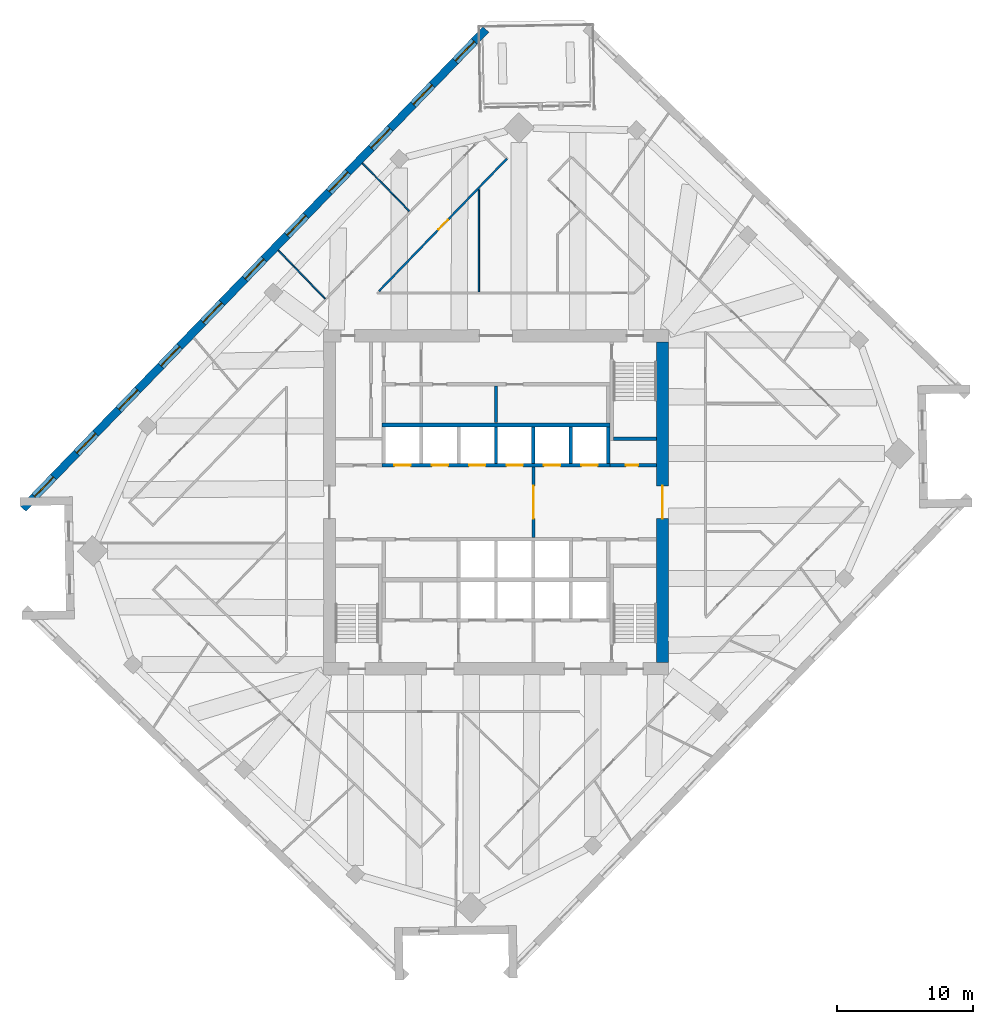
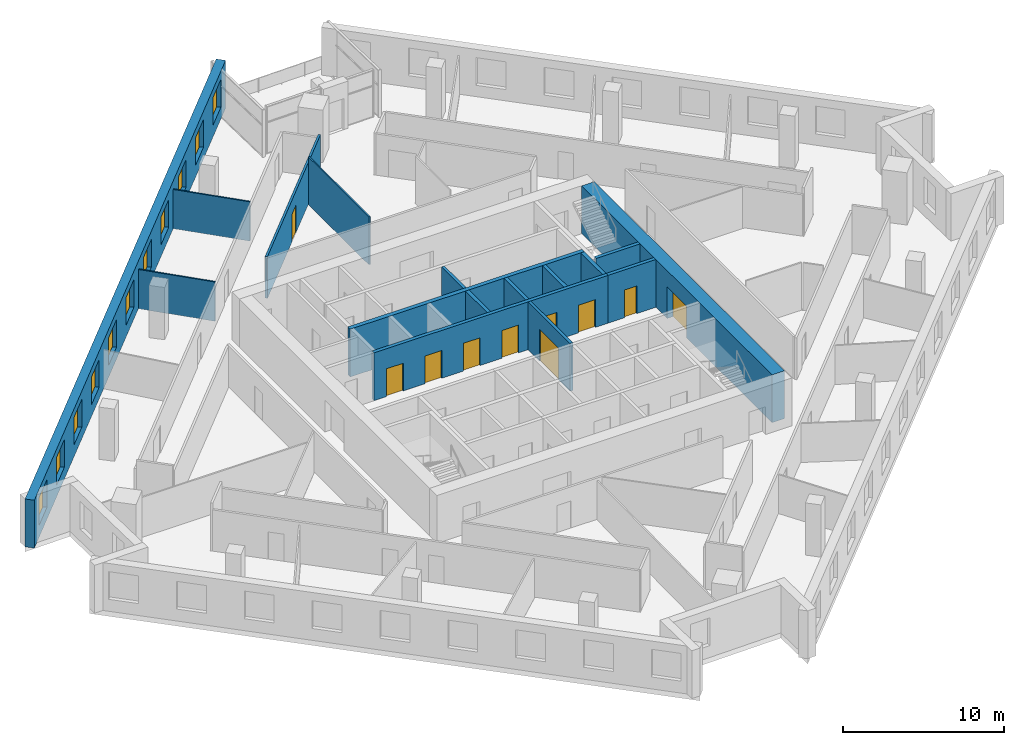
# One storey, part 9 of 13: 16 walls, 11 windows, 10 doors, 21 openings.
"""IFC4 building model written with IfcOpenShell, lengths in metres."""

from ifc_helpers import new_model, si_unit, direction, frame, frame_2d, origin, place, context, subcontext, project, spatial, rectangle, extrude, material, layer, layer_set, type_object, element, fill, save


model = new_model("IFC4")

# Units and contexts
model_context = context("Model", 3, precision=1e-05, world=origin(), true_north=direction((0.0, 1.0)))
body_context = subcontext(model_context, "Body", "Model", "MODEL_VIEW")
ifc_project = project(units=[si_unit("LENGTHUNIT", "METRE"), si_unit("AREAUNIT", "SQUARE_METRE"), si_unit("VOLUMEUNIT", "CUBIC_METRE"), si_unit("PLANEANGLEUNIT", "RADIAN"), si_unit("MASSUNIT", "GRAM", prefix="KILO")], contexts=[model_context])

# Site, building, storey
site_placement = place(None, origin())
site = spatial("IfcSite", under=ifc_project, at=site_placement, CompositionType="ELEMENT")
building_placement = place(site_placement, origin())
building = spatial("IfcBuilding", under=site, at=building_placement, Name="Dilmun Exchange Tower", CompositionType="ELEMENT")
storey_placement = place(building_placement, frame((0.0, 0.0, 209.300048828125)))
storey = spatial("IfcBuildingStorey", under=building, at=storey_placement, Name="L49", CompositionType="ELEMENT", Elevation=209.300048828125)

# Wall, opening, door
ifc_material_1 = material(Name="Concrete C40/50", Category="concrete")
ifc_layer_1 = layer(ifc_material_1, 0.199951171875)
ifc_layer_set_1 = layer_set([ifc_layer_1], Name="Concrete C40/50")
wall_type_1 = type_object("IfcWallType", Name="Core partition wall 200", PredefinedType="PARTITIONING", material=ifc_layer_set_1)
wall_1_placement = place(storey_placement, frame((2.75, -2.594970703125, 0.0), z_axis=(0.0, 0.0, 1.0), x_axis=(0.0, 1.0, 0.0)))
wall_1 = element("IfcWall", 1, at=wall_1_placement, inside=storey, type_object=wall_type_1, Name="L49 core partition wall 11", PredefinedType="PARTITIONING", context=body_context, shape_type="SweptSolid", body=[
    extrude(rectangle(XDim=5.18994140625, YDim=0.199951171875, at=frame_2d((2.594970703125, 0.0))), origin(), (0.0, 0.0, 1.0), 3.619873046875),
])
opening_1_placement = place(wall_1_placement, frame((1.39501953125, 0.0, 0.0)))
opening_1 = element("IfcOpeningElement", 2, at=opening_1_placement, cuts=wall_1, Name="Opening CD1", PredefinedType="OPENING", context=body_context, shape_type="SweptSolid", body=[
    extrude(rectangle(XDim=2.39990234375, YDim=2.39990234375, at=frame_2d((1.199951171875, 1.199951171875))), frame((0.0, 0.10986328125, 0.0), z_axis=(0.0, -1.0, 0.0), x_axis=(1.0, 0.0, 0.0)), (0.0, 0.0, 1.0), 0.219970703125),
])
ifc_material_2 = material(Name="Fire-rated steel door set", Category="steel")
door_type_1 = type_object("IfcDoorType", Name="Core lobby door 2400x2400", OperationType="DOUBLE_DOOR_DOUBLE_SWING", PredefinedType="DOOR", material=ifc_material_2)
door_1_placement = place(opening_1_placement, origin())
door_1 = element("IfcDoor", 3, at=door_1_placement, inside=storey, type_object=door_type_1, Name="L49 door Lift lobby east", OperationType="DOUBLE_DOOR_DOUBLE_SWING", OverallHeight=2.39990234375, OverallWidth=2.39990234375, PredefinedType="DOOR", context=body_context, shape_type="SweptSolid", body=[
    extrude(rectangle(XDim=2.39990234375, YDim=2.39990234375, at=frame_2d((1.199951171875, 1.199951171875))), frame((0.0, 0.02490234375, 0.0), z_axis=(0.0, -1.0, 0.0), x_axis=(1.0, 0.0, 0.0)), (0.0, 0.0, 1.0), 0.050048828125),
])
fill(opening_1, door_1)

# Wall
wall_2_placement = place(storey_placement, frame((0.0, 5.85498046875, 0.0), z_axis=(0.0, 0.0, 1.0), x_axis=(0.0, 1.0, 0.0)))
element("IfcWall", 4, at=wall_2_placement, inside=storey, type_object=wall_type_1, Name="L49 core partition wall 18", PredefinedType="PARTITIONING", context=body_context, shape_type="SweptSolid", body=[
    extrude(rectangle(XDim=2.68994140625, YDim=0.199951171875, at=frame_2d((1.344970703125, 0.0))), origin(), (0.0, 0.0, 1.0), 3.619873046875),
])

# Wall, opening, door
ifc_layer_2 = layer(ifc_material_1, 0.25)
ifc_layer_set_2 = layer_set([ifc_layer_2], Name="Concrete C40/50")
wall_type_2 = type_object("IfcWallType", Name="Core partition wall 250", PredefinedType="PARTITIONING", material=ifc_layer_set_2)
wall_3_placement = place(storey_placement, frame((8.3798828125, 2.72509765625, 0.0), z_axis=(0.0, 0.0, 1.0), x_axis=(1.0, 0.0, 0.0)))
wall_3 = element("IfcWall", 5, at=wall_3_placement, inside=storey, type_object=wall_type_2, Name="L49 core partition wall 13", PredefinedType="PARTITIONING", context=body_context, shape_type="SweptSolid", body=[
    extrude(rectangle(XDim=3.4150390625, YDim=0.25, at=frame_2d((1.70751953125, 0.0))), origin(), (0.0, 0.0, 1.0), 3.619873046875),
])
opening_2_placement = place(wall_3_placement, frame((1.169921875, 0.0, 0.0)))
opening_2 = element("IfcOpeningElement", 6, at=opening_2_placement, cuts=wall_3, Name="Opening CD6", PredefinedType="OPENING", context=body_context, shape_type="SweptSolid", body=[
    extrude(rectangle(XDim=0.89990234375, YDim=2.10009765625, at=frame_2d((0.449951171875, 1.050048828125))), frame((0.0, 0.135009765625, 0.0), z_axis=(0.0, -1.0, 0.0), x_axis=(1.0, 0.0, 0.0)), (0.0, 0.0, 1.0), 0.27001953125),
])
door_type_2 = type_object("IfcDoorType", Name="Core room door 900x2100", OperationType="SINGLE_SWING_LEFT", PredefinedType="DOOR", material=ifc_material_2)
door_2_placement = place(opening_2_placement, origin())
door_2 = element("IfcDoor", 7, at=door_2_placement, inside=storey, type_object=door_type_2, Name="L49 door Electrical riser", OperationType="SINGLE_SWING_RIGHT", OverallHeight=2.10009765625, OverallWidth=0.89990234375, PredefinedType="DOOR", context=body_context, shape_type="SweptSolid", body=[
    extrude(rectangle(XDim=0.89990234375, YDim=2.10009765625, at=frame_2d((0.449951171875, 1.050048828125))), frame((0.0, 0.02490234375, 0.0), z_axis=(0.0, -1.0, 0.0), x_axis=(1.0, 0.0, 0.0)), (0.0, 0.0, 1.0), 0.050048828125),
])
fill(opening_2, door_2)

ifc_material_3 = material(Name="Concrete C60/75", Category="concrete")
ifc_layer_3 = layer(ifc_material_3, 0.89990234375)
ifc_layer_set_3 = layer_set([ifc_layer_3], Name="Concrete C60/75")
wall_type_3 = type_object("IfcWallType", Name="Core shear wall 900 Concrete C60/75", PredefinedType="SHEAR", material=ifc_layer_set_3)
wall_4_placement = place(storey_placement, frame((12.25, -11.800048828125, 0.0), z_axis=(0.0, 0.0, 1.0), x_axis=(0.0, 1.0, 0.0)))
wall_4 = element("IfcWall", 8, at=wall_4_placement, inside=storey, type_object=wall_type_3, Name="L49 core shear wall E", PredefinedType="SHEAR", context=body_context, shape_type="SweptSolid", body=[
    extrude(rectangle(XDim=23.60009765625, YDim=0.89990234375, at=frame_2d((11.800048828125, 0.0))), origin(), (0.0, 0.0, 1.0), 3.619873046875),
])
opening_3_placement = place(wall_4_placement, frame((10.60009765625, 0.0, 0.0)))
opening_3 = element("IfcOpeningElement", 9, at=opening_3_placement, cuts=wall_4, Name="Opening CD1", PredefinedType="OPENING", context=body_context, shape_type="SweptSolid", body=[
    extrude(rectangle(XDim=2.39990234375, YDim=2.39990234375, at=frame_2d((1.199951171875, 1.199951171875))), frame((0.0, 0.4599609375, 0.0), z_axis=(0.0, -1.0, 0.0), x_axis=(1.0, 0.0, 0.0)), (0.0, 0.0, 1.0), 0.919921875),
])
door_3_placement = place(opening_3_placement, origin())
door_3 = element("IfcDoor", 10, at=door_3_placement, inside=storey, type_object=door_type_1, Name="L49 door Central lift lobby", OperationType="SINGLE_SWING_LEFT", OverallHeight=2.39990234375, OverallWidth=2.39990234375, PredefinedType="DOOR", context=body_context, shape_type="SweptSolid", body=[
    extrude(rectangle(XDim=2.39990234375, YDim=2.39990234375, at=frame_2d((1.199951171875, 1.199951171875))), frame((0.0, 0.02490234375, 0.0), z_axis=(0.0, -1.0, 0.0), x_axis=(1.0, 0.0, 0.0)), (0.0, 0.0, 1.0), 0.050048828125),
])
fill(opening_3, door_3)

ifc_material_4 = material(Name="Corridor wall 150")
ifc_layer_4 = layer(ifc_material_4, 0.14990234375)
ifc_layer_set_4 = layer_set([ifc_layer_4], Name="Corridor wall 150")
wall_type_4 = type_object("IfcWallType", Name="Corridor wall 150", PredefinedType="PARTITIONING", material=ifc_layer_set_4)
wall_5_placement = place(storey_placement, frame((-8.6142578125, 15.527099609375, 0.0), z_axis=(0.0, 0.0, 1.0), x_axis=(0.694688688922, 0.719310520905, 0.0)))
wall_5 = element("IfcWall", 11, at=wall_5_placement, inside=storey, type_object=wall_type_4, Name="Corridor wall", PredefinedType="PARTITIONING", context=body_context, shape_type="SweptSolid", body=[
    extrude(rectangle(XDim=13.5546875, YDim=0.14990234375, at=frame_2d((6.77734375, 0.0))), origin(), (0.0, 0.0, 1.0), 3.169921875),
])
opening_4_placement = place(wall_5_placement, frame((6.300048828125, 0.0, 0.0)))
opening_4 = element("IfcOpeningElement", 12, at=opening_4_placement, cuts=wall_5, Name="Opening TF48-D10", PredefinedType="OPENING", context=body_context, shape_type="SweptSolid", body=[
    extrude(rectangle(XDim=1.0, YDim=2.10009765625, at=frame_2d((0.5, 1.050048828125))), frame((0.0, 0.0849609375, 0.0), z_axis=(0.0, -1.0, 0.0), x_axis=(1.0, 0.0, 0.0)), (0.0, 0.0, 1.0), 0.169921875),
])
ifc_material_5 = material(Name="Fire door 1000 x 2100")
door_type_3 = type_object("IfcDoorType", Name="Fire door 1000 x 2100", OperationType="NOTDEFINED", PredefinedType="DOOR", material=ifc_material_5)
door_4_placement = place(opening_4_placement, frame((1.0, 0.0, 0.0), z_axis=(0.0, 0.0, 1.0), x_axis=(-1.0, 0.0, 0.0)))
door_4 = element("IfcDoor", 13, at=door_4_placement, inside=storey, type_object=door_type_3, Name="Door TF48-D10", OperationType="SINGLE_SWING_RIGHT", OverallHeight=2.10009765625, OverallWidth=1.0, PredefinedType="DOOR", context=body_context, shape_type="SweptSolid", body=[
    extrude(rectangle(XDim=1.0, YDim=2.10009765625, at=frame_2d((0.5, 1.050048828125))), frame((0.0, 0.02490234375, 0.0), z_axis=(0.0, -1.0, 0.0), x_axis=(1.0, 0.0, 0.0)), (0.0, 0.0, 1.0), 0.050048828125),
])
fill(opening_4, door_4)

# Wall
ifc_layer_5 = layer(ifc_material_1, 0.300048828125)
ifc_layer_set_5 = layer_set([ifc_layer_5], Name="Concrete C40/50")
wall_type_5 = type_object("IfcWallType", Name="Lift shaft shared wall 300", PredefinedType="SOLIDWALL", material=ifc_layer_set_5)
wall_6_placement = place(storey_placement, frame((-8.375, 5.699951171875, 0.0), z_axis=(0.0, 0.0, 1.0), x_axis=(1.0, 0.0, 0.0)))
element("IfcWall", 14, at=wall_6_placement, inside=storey, type_object=wall_type_5, Name="L49 lift shaft rear wall N", PredefinedType="SOLIDWALL", context=body_context, shape_type="SweptSolid", body=[
    extrude(rectangle(XDim=16.75, YDim=0.300048828125, at=frame_2d((8.375, 0.0))), origin(), (0.0, 0.0, 1.0), 3.619873046875),
])

# Wall, openings, doors
ifc_layer_6 = layer(ifc_material_1, 0.25)
ifc_layer_set_6 = layer_set([ifc_layer_6], Name="Concrete C40/50")
wall_type_6 = type_object("IfcWallType", Name="Lift shaft wall 250", PredefinedType="SOLIDWALL", material=ifc_layer_set_6)
wall_7_placement = place(storey_placement, frame((-8.375, 2.72509765625, 0.0), z_axis=(0.0, 0.0, 1.0), x_axis=(1.0, 0.0, 0.0)))
wall_7 = element("IfcWall", 15, at=wall_7_placement, inside=storey, type_object=wall_type_6, Name="L49 lift shaft front wall N1", PredefinedType="SOLIDWALL", context=body_context, shape_type="SweptSolid", body=[
    extrude(rectangle(XDim=16.75, YDim=0.25, at=frame_2d((8.375, 0.0))), origin(), (0.0, 0.0, 1.0), 3.619873046875),
])
opening_5_placement = place(wall_7_placement, frame((0.89990234375, 0.0, 0.0)))
opening_5 = element("IfcOpeningElement", 16, at=opening_5_placement, cuts=wall_7, Name="Opening LD", PredefinedType="OPENING", context=body_context, shape_type="SweptSolid", body=[
    extrude(rectangle(XDim=1.199951171875, YDim=2.10009765625, at=frame_2d((0.60009765625, 1.050048828125))), frame((0.0, 0.135009765625, 0.0), z_axis=(0.0, -1.0, 0.0), x_axis=(1.0, 0.0, 0.0)), (0.0, 0.0, 1.0), 0.27001953125),
])
opening_6_placement = place(wall_7_placement, frame((3.64990234375, 0.0, 0.0)))
opening_6 = element("IfcOpeningElement", 17, at=opening_6_placement, cuts=wall_7, Name="Opening LD", PredefinedType="OPENING", context=body_context, shape_type="SweptSolid", body=[
    extrude(rectangle(XDim=1.199951171875, YDim=2.10009765625, at=frame_2d((0.60009765625, 1.050048828125))), frame((0.0, 0.135009765625, 0.0), z_axis=(0.0, -1.0, 0.0), x_axis=(1.0, 0.0, 0.0)), (0.0, 0.0, 1.0), 0.27001953125),
])
opening_7_placement = place(wall_7_placement, frame((6.39990234375, 0.0, 0.0)))
opening_7 = element("IfcOpeningElement", 18, at=opening_7_placement, cuts=wall_7, Name="Opening LD", PredefinedType="OPENING", context=body_context, shape_type="SweptSolid", body=[
    extrude(rectangle(XDim=1.199951171875, YDim=2.10009765625, at=frame_2d((0.60009765625, 1.050048828125))), frame((0.0, 0.135009765625, 0.0), z_axis=(0.0, -1.0, 0.0), x_axis=(1.0, 0.0, 0.0)), (0.0, 0.0, 1.0), 0.27001953125),
])
opening_8_placement = place(wall_7_placement, frame((9.14990234375, 0.0, 0.0)))
opening_8 = element("IfcOpeningElement", 19, at=opening_8_placement, cuts=wall_7, Name="Opening LD", PredefinedType="OPENING", context=body_context, shape_type="SweptSolid", body=[
    extrude(rectangle(XDim=1.199951171875, YDim=2.10009765625, at=frame_2d((0.60009765625, 1.050048828125))), frame((0.0, 0.135009765625, 0.0), z_axis=(0.0, -1.0, 0.0), x_axis=(1.0, 0.0, 0.0)), (0.0, 0.0, 1.0), 0.27001953125),
])
opening_9_placement = place(wall_7_placement, frame((11.89990234375, 0.0, 0.0)))
opening_9 = element("IfcOpeningElement", 20, at=opening_9_placement, cuts=wall_7, Name="Opening LD", PredefinedType="OPENING", context=body_context, shape_type="SweptSolid", body=[
    extrude(rectangle(XDim=1.199951171875, YDim=2.10009765625, at=frame_2d((0.60009765625, 1.050048828125))), frame((0.0, 0.135009765625, 0.0), z_axis=(0.0, -1.0, 0.0), x_axis=(1.0, 0.0, 0.0)), (0.0, 0.0, 1.0), 0.27001953125),
])
opening_10_placement = place(wall_7_placement, frame((14.64990234375, 0.0, 0.0)))
opening_10 = element("IfcOpeningElement", 21, at=opening_10_placement, cuts=wall_7, Name="Opening LD", PredefinedType="OPENING", context=body_context, shape_type="SweptSolid", body=[
    extrude(rectangle(XDim=1.199951171875, YDim=2.10009765625, at=frame_2d((0.60009765625, 1.050048828125))), frame((0.0, 0.135009765625, 0.0), z_axis=(0.0, -1.0, 0.0), x_axis=(1.0, 0.0, 0.0)), (0.0, 0.0, 1.0), 0.27001953125),
])
door_type_4 = type_object("IfcDoorType", Name="Lift landing door 1200x2100", OperationType="DOUBLE_DOOR_SLIDING", PredefinedType="DOOR", material=ifc_material_2)
door_5_placement = place(opening_5_placement, origin())
door_5 = element("IfcDoor", 22, at=door_5_placement, inside=storey, type_object=door_type_4, Name="L49 landing door MR1", OperationType="DOUBLE_DOOR_SLIDING", OverallHeight=2.10009765625, OverallWidth=1.199951171875, PredefinedType="DOOR", context=body_context, shape_type="SweptSolid", body=[
    extrude(rectangle(XDim=1.199951171875, YDim=2.10009765625, at=frame_2d((0.60009765625, 1.050048828125))), frame((0.0, 0.02490234375, 0.0), z_axis=(0.0, -1.0, 0.0), x_axis=(1.0, 0.0, 0.0)), (0.0, 0.0, 1.0), 0.050048828125),
])
fill(opening_5, door_5)
door_6_placement = place(opening_6_placement, origin())
door_6 = element("IfcDoor", 23, at=door_6_placement, inside=storey, type_object=door_type_4, Name="L49 landing door MR2", OperationType="DOUBLE_DOOR_SLIDING", OverallHeight=2.10009765625, OverallWidth=1.199951171875, PredefinedType="DOOR", context=body_context, shape_type="SweptSolid", body=[
    extrude(rectangle(XDim=1.199951171875, YDim=2.10009765625, at=frame_2d((0.60009765625, 1.050048828125))), frame((0.0, 0.02490234375, 0.0), z_axis=(0.0, -1.0, 0.0), x_axis=(1.0, 0.0, 0.0)), (0.0, 0.0, 1.0), 0.050048828125),
])
fill(opening_6, door_6)
door_7_placement = place(opening_7_placement, origin())
door_7 = element("IfcDoor", 24, at=door_7_placement, inside=storey, type_object=door_type_4, Name="L49 landing door MR3", OperationType="DOUBLE_DOOR_SLIDING", OverallHeight=2.10009765625, OverallWidth=1.199951171875, PredefinedType="DOOR", context=body_context, shape_type="SweptSolid", body=[
    extrude(rectangle(XDim=1.199951171875, YDim=2.10009765625, at=frame_2d((0.60009765625, 1.050048828125))), frame((0.0, 0.02490234375, 0.0), z_axis=(0.0, -1.0, 0.0), x_axis=(1.0, 0.0, 0.0)), (0.0, 0.0, 1.0), 0.050048828125),
])
fill(opening_7, door_7)
door_8_placement = place(opening_8_placement, origin())
door_8 = element("IfcDoor", 25, at=door_8_placement, inside=storey, type_object=door_type_4, Name="L49 landing door MR4", OperationType="DOUBLE_DOOR_SLIDING", OverallHeight=2.10009765625, OverallWidth=1.199951171875, PredefinedType="DOOR", context=body_context, shape_type="SweptSolid", body=[
    extrude(rectangle(XDim=1.199951171875, YDim=2.10009765625, at=frame_2d((0.60009765625, 1.050048828125))), frame((0.0, 0.02490234375, 0.0), z_axis=(0.0, -1.0, 0.0), x_axis=(1.0, 0.0, 0.0)), (0.0, 0.0, 1.0), 0.050048828125),
])
fill(opening_8, door_8)
door_9_placement = place(opening_9_placement, origin())
door_9 = element("IfcDoor", 26, at=door_9_placement, inside=storey, type_object=door_type_4, Name="L49 landing door MR5", OperationType="DOUBLE_DOOR_SLIDING", OverallHeight=2.10009765625, OverallWidth=1.199951171875, PredefinedType="DOOR", context=body_context, shape_type="SweptSolid", body=[
    extrude(rectangle(XDim=1.199951171875, YDim=2.10009765625, at=frame_2d((0.60009765625, 1.050048828125))), frame((0.0, 0.02490234375, 0.0), z_axis=(0.0, -1.0, 0.0), x_axis=(1.0, 0.0, 0.0)), (0.0, 0.0, 1.0), 0.050048828125),
])
fill(opening_9, door_9)
door_10_placement = place(opening_10_placement, origin())
door_10 = element("IfcDoor", 27, at=door_10_placement, inside=storey, type_object=door_type_4, Name="L49 landing door MR6", OperationType="DOUBLE_DOOR_SLIDING", OverallHeight=2.10009765625, OverallWidth=1.199951171875, PredefinedType="DOOR", context=body_context, shape_type="SweptSolid", body=[
    extrude(rectangle(XDim=1.199951171875, YDim=2.10009765625, at=frame_2d((0.60009765625, 1.050048828125))), frame((0.0, 0.02490234375, 0.0), z_axis=(0.0, -1.0, 0.0), x_axis=(1.0, 0.0, 0.0)), (0.0, 0.0, 1.0), 0.050048828125),
])
fill(opening_10, door_10)

# Walls
for number, where, z_axis, x_axis, name in (
    (28, (0.0, 2.85009765625, 0.0), (0.0, 0.0, 1.0), (0.0, 1.0, 0.0), "L49 lift shaft divider N13"),
    (29, (2.75, 2.85009765625, 0.0), (0.0, 0.0, 1.0), (0.0, 1.0, 0.0), "L49 lift shaft divider N14"),
    (30, (5.5, 2.85009765625, 0.0), (0.0, 0.0, 1.0), (0.0, 1.0, 0.0), "L49 lift shaft divider N15"),
    (31, (8.25, 2.85009765625, 0.0), (0.0, 0.0, 1.0), (0.0, 1.0, 0.0), "L49 lift shaft divider N16"),
):
    element("IfcWall", number, at=place(storey_placement, frame(where, z_axis=z_axis, x_axis=x_axis)), inside=storey, type_object=wall_type_6, Name=name, PredefinedType="SOLIDWALL", context=body_context, shape_type="SweptSolid", body=[
        extrude(rectangle(XDim=2.699951171875, YDim=0.25, at=frame_2d((1.35009765625, 0.0))), origin(), (0.0, 0.0, 1.0), 3.619873046875),
    ])
ifc_material_6 = material(Name="Partition 100")
ifc_layer_7 = layer(ifc_material_6, 0.10009765625)
ifc_layer_set_7 = layer_set([ifc_layer_7], Name="Partition 100")
wall_type_7 = type_object("IfcWallType", Name="Partition 100", PredefinedType="PARTITIONING", material=ifc_layer_set_7)
for number, where, z_axis, x_axis, name in (
    (32, (-16.016845703125, 18.536376953125, 0.0), (0.0, 0.0, 1.0), (0.695803180125, -0.718232507289, 0.0), "Partition"),
    (33, (-9.826416015625, 24.94677734375, 0.0), (0.0, 0.0, 1.0), (0.698133061081, -0.715968036316, 0.0), "Partition"),
):
    element("IfcWall", number, at=place(storey_placement, frame(where, z_axis=z_axis, x_axis=x_axis)), inside=storey, type_object=wall_type_7, Name=name, PredefinedType="PARTITIONING", context=body_context, shape_type="SweptSolid", body=[
        extrude(rectangle(XDim=4.941650390625, YDim=0.10009765625, at=frame_2d((2.470703125, 0.0))), origin(), (0.0, 0.0, 1.0), 2.969970703125),
    ])
wall_8_placement = place(storey_placement, frame((-1.260009765625, 15.47509765625, 0.0), z_axis=(0.0, 0.0, 1.0), x_axis=(0.0, 1.0, 0.0)))
element("IfcWall", 34, at=wall_8_placement, inside=storey, type_object=wall_type_7, Name="Partition", PredefinedType="PARTITIONING", context=body_context, shape_type="SweptSolid", body=[
    extrude(rectangle(XDim=7.50732421875, YDim=0.10009765625, at=frame_2d((3.753662109375, 0.0))), origin(), (0.0, 0.0, 1.0), 3.619873046875),
])

# Wall, openings, windows
ifc_material_7 = material(Name="Precast concrete C50/60", Category="concrete")
ifc_layer_8 = layer(ifc_material_7, 0.60009765625)
ifc_layer_set_8 = layer_set([ifc_layer_8], Name="Precast concrete C50/60")
wall_type_8 = type_object("IfcWallType", Name="Precast stone-clad wall 600", PredefinedType="STANDARD", material=ifc_layer_set_8)
wall_9_placement = place(storey_placement, frame((-0.74853515625, 34.781982421875, 0.0), z_axis=(0.0, 0.0, 1.0), x_axis=(-0.694657553534, -0.719340589233, 0.0)))
wall_9 = element("IfcWall", 35, at=wall_9_placement, inside=storey, type_object=wall_type_8, Name="Facade wall L49-03", PredefinedType="STANDARD", context=body_context, shape_type="SweptSolid", body=[
    extrude(rectangle(XDim=49.000244140625, YDim=0.60009765625, at=frame_2d((24.5, 0.0))), origin(), (0.0, 0.0, 1.0), 3.619873046875),
])
opening_11_placement = place(wall_9_placement, frame((1.227294921875, 0.0, 0.89990234375)))
opening_11 = element("IfcOpeningElement", 36, at=opening_11_placement, cuts=wall_9, Name="Opening W200-210", PredefinedType="OPENING", context=body_context, shape_type="SweptSolid", body=[
    extrude(rectangle(XDim=2.0, YDim=2.10009765625, at=frame_2d((1.0, 1.050048828125))), frame((0.0, 0.31005859375, 0.0), z_axis=(0.0, -1.0, 0.0), x_axis=(1.0, 0.0, 0.0)), (0.0, 0.0, 1.0), 0.6201171875),
])
opening_12_placement = place(wall_9_placement, frame((5.681884765625, 0.0, 0.89990234375)))
opening_12 = element("IfcOpeningElement", 37, at=opening_12_placement, cuts=wall_9, Name="Opening W200-210", PredefinedType="OPENING", context=body_context, shape_type="SweptSolid", body=[
    extrude(rectangle(XDim=2.0, YDim=2.10009765625, at=frame_2d((1.0, 1.050048828125))), frame((0.0, 0.31005859375, 0.0), z_axis=(0.0, -1.0, 0.0), x_axis=(1.0, 0.0, 0.0)), (0.0, 0.0, 1.0), 0.6201171875),
])
opening_13_placement = place(wall_9_placement, frame((10.136474609375, 0.0, 0.89990234375)))
opening_13 = element("IfcOpeningElement", 38, at=opening_13_placement, cuts=wall_9, Name="Opening W200-210", PredefinedType="OPENING", context=body_context, shape_type="SweptSolid", body=[
    extrude(rectangle(XDim=2.0, YDim=2.10009765625, at=frame_2d((1.0, 1.050048828125))), frame((0.0, 0.31005859375, 0.0), z_axis=(0.0, -1.0, 0.0), x_axis=(1.0, 0.0, 0.0)), (0.0, 0.0, 1.0), 0.6201171875),
])
opening_14_placement = place(wall_9_placement, frame((14.5908203125, 0.0, 0.89990234375)))
opening_14 = element("IfcOpeningElement", 39, at=opening_14_placement, cuts=wall_9, Name="Opening W200-210", PredefinedType="OPENING", context=body_context, shape_type="SweptSolid", body=[
    extrude(rectangle(XDim=2.0, YDim=2.10009765625, at=frame_2d((1.0, 1.050048828125))), frame((0.0, 0.31005859375, 0.0), z_axis=(0.0, -1.0, 0.0), x_axis=(1.0, 0.0, 0.0)), (0.0, 0.0, 1.0), 0.6201171875),
])
opening_15_placement = place(wall_9_placement, frame((19.04541015625, 0.0, 0.89990234375)))
opening_15 = element("IfcOpeningElement", 40, at=opening_15_placement, cuts=wall_9, Name="Opening W200-210", PredefinedType="OPENING", context=body_context, shape_type="SweptSolid", body=[
    extrude(rectangle(XDim=2.0, YDim=2.10009765625, at=frame_2d((1.0, 1.050048828125))), frame((0.0, 0.31005859375, 0.0), z_axis=(0.0, -1.0, 0.0), x_axis=(1.0, 0.0, 0.0)), (0.0, 0.0, 1.0), 0.6201171875),
])
opening_16_placement = place(wall_9_placement, frame((23.5, 0.0, 0.89990234375)))
opening_16 = element("IfcOpeningElement", 41, at=opening_16_placement, cuts=wall_9, Name="Opening W200-210", PredefinedType="OPENING", context=body_context, shape_type="SweptSolid", body=[
    extrude(rectangle(XDim=2.0, YDim=2.10009765625, at=frame_2d((1.0, 1.050048828125))), frame((0.0, 0.31005859375, 0.0), z_axis=(0.0, -1.0, 0.0), x_axis=(1.0, 0.0, 0.0)), (0.0, 0.0, 1.0), 0.6201171875),
])
opening_17_placement = place(wall_9_placement, frame((27.95458984375, 0.0, 0.89990234375)))
opening_17 = element("IfcOpeningElement", 42, at=opening_17_placement, cuts=wall_9, Name="Opening W200-210", PredefinedType="OPENING", context=body_context, shape_type="SweptSolid", body=[
    extrude(rectangle(XDim=2.0, YDim=2.10009765625, at=frame_2d((1.0, 1.050048828125))), frame((0.0, 0.31005859375, 0.0), z_axis=(0.0, -1.0, 0.0), x_axis=(1.0, 0.0, 0.0)), (0.0, 0.0, 1.0), 0.6201171875),
])
opening_18_placement = place(wall_9_placement, frame((32.4091796875, 0.0, 0.89990234375)))
opening_18 = element("IfcOpeningElement", 43, at=opening_18_placement, cuts=wall_9, Name="Opening W200-210", PredefinedType="OPENING", context=body_context, shape_type="SweptSolid", body=[
    extrude(rectangle(XDim=2.0, YDim=2.10009765625, at=frame_2d((1.0, 1.050048828125))), frame((0.0, 0.31005859375, 0.0), z_axis=(0.0, -1.0, 0.0), x_axis=(1.0, 0.0, 0.0)), (0.0, 0.0, 1.0), 0.6201171875),
])
opening_19_placement = place(wall_9_placement, frame((36.863525390625, 0.0, 0.89990234375)))
opening_19 = element("IfcOpeningElement", 44, at=opening_19_placement, cuts=wall_9, Name="Opening W200-210", PredefinedType="OPENING", context=body_context, shape_type="SweptSolid", body=[
    extrude(rectangle(XDim=2.0, YDim=2.10009765625, at=frame_2d((1.0, 1.050048828125))), frame((0.0, 0.31005859375, 0.0), z_axis=(0.0, -1.0, 0.0), x_axis=(1.0, 0.0, 0.0)), (0.0, 0.0, 1.0), 0.6201171875),
])
opening_20_placement = place(wall_9_placement, frame((41.318115234375, 0.0, 0.89990234375)))
opening_20 = element("IfcOpeningElement", 45, at=opening_20_placement, cuts=wall_9, Name="Opening W200-210", PredefinedType="OPENING", context=body_context, shape_type="SweptSolid", body=[
    extrude(rectangle(XDim=2.0, YDim=2.10009765625, at=frame_2d((1.0, 1.050048828125))), frame((0.0, 0.31005859375, 0.0), z_axis=(0.0, -1.0, 0.0), x_axis=(1.0, 0.0, 0.0)), (0.0, 0.0, 1.0), 0.6201171875),
])
opening_21_placement = place(wall_9_placement, frame((45.772705078125, 0.0, 0.89990234375)))
opening_21 = element("IfcOpeningElement", 46, at=opening_21_placement, cuts=wall_9, Name="Opening W200-210", PredefinedType="OPENING", context=body_context, shape_type="SweptSolid", body=[
    extrude(rectangle(XDim=2.0, YDim=2.10009765625, at=frame_2d((1.0, 1.050048828125))), frame((0.0, 0.31005859375, 0.0), z_axis=(0.0, -1.0, 0.0), x_axis=(1.0, 0.0, 0.0)), (0.0, 0.0, 1.0), 0.6201171875),
])
ifc_material_8 = material(Name="Clear low-emissivity glass in aluminium frame", Category="aluminium")
window_type = type_object("IfcWindowType", Name="Punched window 2000 x 2100", PartitioningType="DOUBLE_PANEL_VERTICAL", PredefinedType="WINDOW", material=ifc_material_8)
window_1_placement = place(opening_11_placement, origin())
window_1 = element("IfcWindow", 47, at=window_1_placement, inside=storey, type_object=window_type, Name="Window 4.1", OverallHeight=2.10009765625, OverallWidth=2.0, PartitioningType="SINGLE_PANEL", PredefinedType="WINDOW", context=body_context, shape_type="SweptSolid", body=[
    extrude(rectangle(XDim=2.0, YDim=2.10009765625, at=frame_2d((1.0, 1.050048828125))), frame((0.0, 0.030029296875, 0.0), z_axis=(0.0, -1.0, 0.0), x_axis=(1.0, 0.0, 0.0)), (0.0, 0.0, 1.0), 0.06005859375),
])
fill(opening_11, window_1)
window_2_placement = place(opening_12_placement, origin())
window_2 = element("IfcWindow", 48, at=window_2_placement, inside=storey, type_object=window_type, Name="Window 4.2", OverallHeight=2.10009765625, OverallWidth=2.0, PartitioningType="SINGLE_PANEL", PredefinedType="WINDOW", context=body_context, shape_type="SweptSolid", body=[
    extrude(rectangle(XDim=2.0, YDim=2.10009765625, at=frame_2d((1.0, 1.050048828125))), frame((0.0, 0.030029296875, 0.0), z_axis=(0.0, -1.0, 0.0), x_axis=(1.0, 0.0, 0.0)), (0.0, 0.0, 1.0), 0.06005859375),
])
fill(opening_12, window_2)
window_3_placement = place(opening_13_placement, origin())
window_3 = element("IfcWindow", 49, at=window_3_placement, inside=storey, type_object=window_type, Name="Window 4.3", OverallHeight=2.10009765625, OverallWidth=2.0, PartitioningType="SINGLE_PANEL", PredefinedType="WINDOW", context=body_context, shape_type="SweptSolid", body=[
    extrude(rectangle(XDim=2.0, YDim=2.10009765625, at=frame_2d((1.0, 1.050048828125))), frame((0.0, 0.030029296875, 0.0), z_axis=(0.0, -1.0, 0.0), x_axis=(1.0, 0.0, 0.0)), (0.0, 0.0, 1.0), 0.06005859375),
])
fill(opening_13, window_3)
window_4_placement = place(opening_14_placement, origin())
window_4 = element("IfcWindow", 50, at=window_4_placement, inside=storey, type_object=window_type, Name="Window 4.4", OverallHeight=2.10009765625, OverallWidth=2.0, PartitioningType="SINGLE_PANEL", PredefinedType="WINDOW", context=body_context, shape_type="SweptSolid", body=[
    extrude(rectangle(XDim=2.0, YDim=2.10009765625, at=frame_2d((1.0, 1.050048828125))), frame((0.0, 0.030029296875, 0.0), z_axis=(0.0, -1.0, 0.0), x_axis=(1.0, 0.0, 0.0)), (0.0, 0.0, 1.0), 0.06005859375),
])
fill(opening_14, window_4)
window_5_placement = place(opening_15_placement, origin())
window_5 = element("IfcWindow", 51, at=window_5_placement, inside=storey, type_object=window_type, Name="Window 4.5", OverallHeight=2.10009765625, OverallWidth=2.0, PartitioningType="SINGLE_PANEL", PredefinedType="WINDOW", context=body_context, shape_type="SweptSolid", body=[
    extrude(rectangle(XDim=2.0, YDim=2.10009765625, at=frame_2d((1.0, 1.050048828125))), frame((0.0, 0.030029296875, 0.0), z_axis=(0.0, -1.0, 0.0), x_axis=(1.0, 0.0, 0.0)), (0.0, 0.0, 1.0), 0.06005859375),
])
fill(opening_15, window_5)
window_6_placement = place(opening_16_placement, origin())
window_6 = element("IfcWindow", 52, at=window_6_placement, inside=storey, type_object=window_type, Name="Window 4.6", OverallHeight=2.10009765625, OverallWidth=2.0, PartitioningType="SINGLE_PANEL", PredefinedType="WINDOW", context=body_context, shape_type="SweptSolid", body=[
    extrude(rectangle(XDim=2.0, YDim=2.10009765625, at=frame_2d((1.0, 1.050048828125))), frame((0.0, 0.030029296875, 0.0), z_axis=(0.0, -1.0, 0.0), x_axis=(1.0, 0.0, 0.0)), (0.0, 0.0, 1.0), 0.06005859375),
])
fill(opening_16, window_6)
window_7_placement = place(opening_17_placement, origin())
window_7 = element("IfcWindow", 53, at=window_7_placement, inside=storey, type_object=window_type, Name="Window 4.7", OverallHeight=2.10009765625, OverallWidth=2.0, PartitioningType="SINGLE_PANEL", PredefinedType="WINDOW", context=body_context, shape_type="SweptSolid", body=[
    extrude(rectangle(XDim=2.0, YDim=2.10009765625, at=frame_2d((1.0, 1.050048828125))), frame((0.0, 0.030029296875, 0.0), z_axis=(0.0, -1.0, 0.0), x_axis=(1.0, 0.0, 0.0)), (0.0, 0.0, 1.0), 0.06005859375),
])
fill(opening_17, window_7)
window_8_placement = place(opening_18_placement, origin())
window_8 = element("IfcWindow", 54, at=window_8_placement, inside=storey, type_object=window_type, Name="Window 4.8", OverallHeight=2.10009765625, OverallWidth=2.0, PartitioningType="SINGLE_PANEL", PredefinedType="WINDOW", context=body_context, shape_type="SweptSolid", body=[
    extrude(rectangle(XDim=2.0, YDim=2.10009765625, at=frame_2d((1.0, 1.050048828125))), frame((0.0, 0.030029296875, 0.0), z_axis=(0.0, -1.0, 0.0), x_axis=(1.0, 0.0, 0.0)), (0.0, 0.0, 1.0), 0.06005859375),
])
fill(opening_18, window_8)
window_9_placement = place(opening_19_placement, origin())
window_9 = element("IfcWindow", 55, at=window_9_placement, inside=storey, type_object=window_type, Name="Window 4.9", OverallHeight=2.10009765625, OverallWidth=2.0, PartitioningType="SINGLE_PANEL", PredefinedType="WINDOW", context=body_context, shape_type="SweptSolid", body=[
    extrude(rectangle(XDim=2.0, YDim=2.10009765625, at=frame_2d((1.0, 1.050048828125))), frame((0.0, 0.030029296875, 0.0), z_axis=(0.0, -1.0, 0.0), x_axis=(1.0, 0.0, 0.0)), (0.0, 0.0, 1.0), 0.06005859375),
])
fill(opening_19, window_9)
window_10_placement = place(opening_20_placement, origin())
window_10 = element("IfcWindow", 56, at=window_10_placement, inside=storey, type_object=window_type, Name="Window 4.10", OverallHeight=2.10009765625, OverallWidth=2.0, PartitioningType="SINGLE_PANEL", PredefinedType="WINDOW", context=body_context, shape_type="SweptSolid", body=[
    extrude(rectangle(XDim=2.0, YDim=2.10009765625, at=frame_2d((1.0, 1.050048828125))), frame((0.0, 0.030029296875, 0.0), z_axis=(0.0, -1.0, 0.0), x_axis=(1.0, 0.0, 0.0)), (0.0, 0.0, 1.0), 0.06005859375),
])
fill(opening_20, window_10)
window_11_placement = place(opening_21_placement, origin())
window_11 = element("IfcWindow", 57, at=window_11_placement, inside=storey, type_object=window_type, Name="Window 4.11", OverallHeight=2.10009765625, OverallWidth=2.0, PartitioningType="SINGLE_PANEL", PredefinedType="WINDOW", context=body_context, shape_type="SweptSolid", body=[
    extrude(rectangle(XDim=2.0, YDim=2.10009765625, at=frame_2d((1.0, 1.050048828125))), frame((0.0, 0.030029296875, 0.0), z_axis=(0.0, -1.0, 0.0), x_axis=(1.0, 0.0, 0.0)), (0.0, 0.0, 1.0), 0.06005859375),
])
fill(opening_21, window_11)

# Wall
ifc_layer_9 = layer(ifc_material_1, 0.25)
ifc_layer_set_9 = layer_set([ifc_layer_9], Name="Concrete C40/50")
wall_type_9 = type_object("IfcWallType", Name="Stair end wall 250", PredefinedType="SOLIDWALL", material=ifc_layer_set_9)
wall_10_placement = place(storey_placement, frame((8.64990234375, 4.675048828125, 0.0), z_axis=(0.0, 0.0, 1.0), x_axis=(1.0, 0.0, 0.0)))
element("IfcWall", 58, at=wall_10_placement, inside=storey, type_object=wall_type_9, Name="L49 ST1 far wall", PredefinedType="SOLIDWALL", context=body_context, shape_type="SweptSolid", body=[
    extrude(rectangle(XDim=3.150146484375, YDim=0.25, at=frame_2d((1.5751953125, 0.0))), origin(), (0.0, 0.0, 1.0), 3.619873046875),
])

save(model, "model.ifc")
